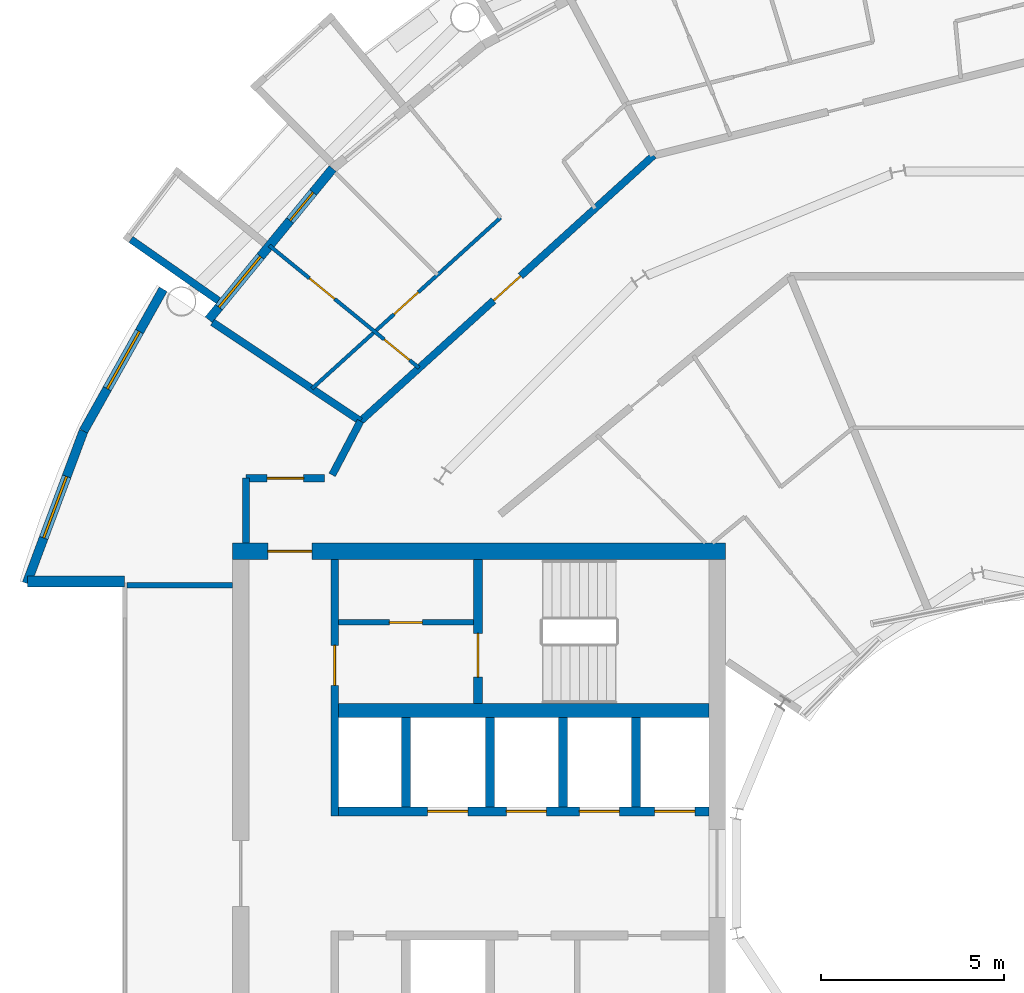
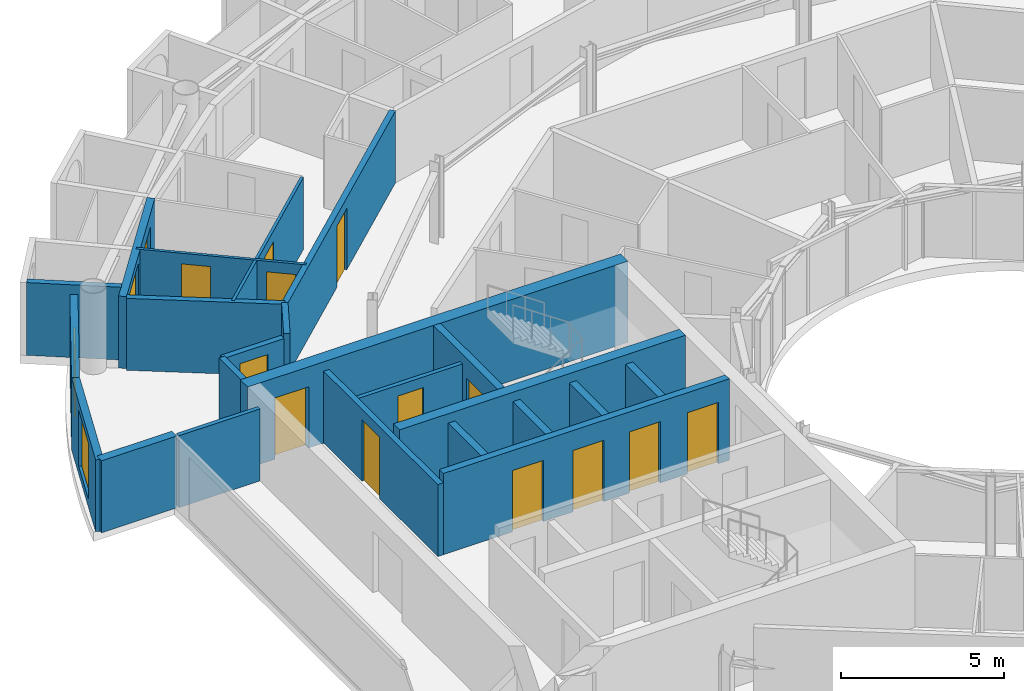
# One storey, part 20 of 29: 23 walls, 14 doors, 3 windows, 17 openings.
"""IFC4 building model written with IfcOpenShell, lengths in metres."""

import ifcopenshell
import ifcopenshell.guid

model = None  # the IFC model being written
_history = None  # IfcOwnerHistory: only IFC2X3 demands one
_inside = {}  # id of a spatial element -> (the spatial element, [elements in it])
_under = {}  # id of a project, library or spatial element -> (it, [spatial elements below it])
_declared = {}  # id of a project -> (the project, [libraries it declares])
_typed = {}  # id of a type object -> (the type object, [elements of that type])
_made_of = {}  # id of a material, layer set ... -> (it, [elements and type objects made of it])


def new_model(schema):
    """Start an empty IFC model of exactly this schema.

    Asked for "IFC4X3", IfcOpenShell would pick the latest addendum, in which some entities
    have other attributes; the version numbers below select the first issue.
    IFC2X3 requires an IfcOwnerHistory on every rooted entity: one is made here for all.
    """
    global model, _history
    if schema == "IFC4X3":
        model = ifcopenshell.file(schema_version=(4, 3, 0, 0))
    else:
        model = ifcopenshell.file(schema=schema)
    _inside.clear()
    _under.clear()
    _declared.clear()
    _typed.clear()
    _made_of.clear()
    _history = None
    if model.schema == "IFC2X3":
        org = make("IfcOrganization", Name="unknown")
        user = make(
            "IfcPersonAndOrganization",
            ThePerson=make("IfcPerson", FamilyName="unknown"),
            TheOrganization=org,
        )
        app = make(
            "IfcApplication",
            ApplicationDeveloper=org,
            Version="unknown",
            ApplicationFullName="unknown",
            ApplicationIdentifier="unknown",
        )
        _history = make(
            "IfcOwnerHistory",
            OwningUser=user,
            OwningApplication=app,
            ChangeAction="ADDED",
            CreationDate=0,
        )
    return model


def make(cls, **values):
    """One entity of the class cls with the attributes given. An attribute that is None is left unset."""
    return model.create_entity(
        cls, **{name: value for name, value in values.items() if value is not None}
    )


def rooted(cls, **values):
    """An entity with a GlobalId (a new one), such as an element, a storey or a relation."""
    return make(cls, GlobalId=ifcopenshell.guid.new(), OwnerHistory=_history, **values)


def si_unit(unit_type, name, prefix=None):
    """IfcSIUnit, for example si_unit("LENGTHUNIT", "METRE", prefix="MILLI")."""
    return make("IfcSIUnit", UnitType=unit_type, Prefix=prefix, Name=name)


def assignment(units):
    """IfcUnitAssignment: the units of a project."""
    return None if units is None else make("IfcUnitAssignment", Units=units)


def point(xyz):
    """IfcCartesianPoint."""
    return None if xyz is None else make("IfcCartesianPoint", Coordinates=xyz)


def direction(xyz):
    """IfcDirection."""
    return None if xyz is None else make("IfcDirection", DirectionRatios=xyz)


def frame(location, z_axis=None, x_axis=None):
    """IfcAxis2Placement3D, a coordinate frame: its origin and axes. An axis left out is left unset."""
    return make(
        "IfcAxis2Placement3D",
        Location=point(location),
        Axis=direction(z_axis),
        RefDirection=direction(x_axis),
    )


def frame_2d(location, x_axis=None):
    """IfcAxis2Placement2D, a coordinate frame in the plane: its origin and x axis."""
    return make(
        "IfcAxis2Placement2D", Location=point(location), RefDirection=direction(x_axis)
    )


def origin():
    """The frame at (0, 0, 0) with its axes left unset."""
    return frame((0.0, 0.0, 0.0))


def place(relative_to, where):
    """IfcLocalPlacement: puts the frame where relative to a parent placement (None: the world)."""
    return make(
        "IfcLocalPlacement", PlacementRelTo=relative_to, RelativePlacement=where
    )


def context(
    kind, dimensions, precision=None, world=None, true_north=None, identifier=None
):
    """IfcGeometricRepresentationContext, for example the 3D "Model" context."""
    return make(
        "IfcGeometricRepresentationContext",
        ContextIdentifier=identifier,
        ContextType=kind,
        CoordinateSpaceDimension=dimensions,
        Precision=precision,
        WorldCoordinateSystem=world,
        TrueNorth=true_north,
    )


def subcontext(parent, identifier, kind, view, scale=None):
    """IfcGeometricRepresentationSubContext, for example "Body" below "Model"."""
    return make(
        "IfcGeometricRepresentationSubContext",
        ContextIdentifier=identifier,
        ContextType=kind,
        ParentContext=parent,
        TargetScale=scale,
        TargetView=view,
    )


def project(units=None, contexts=None):
    """IfcProject with its units and contexts."""
    return rooted(
        "IfcProject",
        Name="project",
        RepresentationContexts=contexts,
        UnitsInContext=assignment(units),
    )


def spatial(cls, under=None, at=None, **own):
    """A site, building, storey or space (cls), placed at a placement, below another one or the project."""
    s = rooted(cls, ObjectPlacement=at, **own)
    if under is not None:
        _under.setdefault(under.id(), (under, []))[1].append(s)
    return s


def profile(cls, at=None, kind="AREA", **sizes):
    """A parametric profile (cls). Its sizes go by their IFC names, for example OverallWidth=200.0."""
    return make(cls, ProfileType=kind, Position=at, **sizes)


def rectangle(**sizes):
    """IfcRectangleProfileDef."""
    return profile("IfcRectangleProfileDef", **sizes)


def extrude(swept, where, along, depth):
    """IfcExtrudedAreaSolid: the profile swept, set in the frame where, extruded along a direction by depth."""
    return make(
        "IfcExtrudedAreaSolid",
        SweptArea=swept,
        Position=where,
        ExtrudedDirection=direction(along),
        Depth=depth,
    )


def shape(context_of_items, identifier, shape_type, items):
    """IfcShapeRepresentation: the items that make up one representation, for example the "Body"."""
    return make(
        "IfcShapeRepresentation",
        ContextOfItems=context_of_items,
        RepresentationIdentifier=identifier,
        RepresentationType=shape_type,
        Items=items,
    )


def material(Name=None, Category=None):
    """IfcMaterial."""
    return make("IfcMaterial", Name=Name, Category=Category)


def layer(
    of_material, thickness, ventilated=None, Name=None, Category=None, Priority=None
):
    """IfcMaterialLayer: one layer of a wall or slab, of a material (None: an air gap)."""
    return make(
        "IfcMaterialLayer",
        Material=of_material,
        LayerThickness=thickness,
        IsVentilated=ventilated,
        Name=Name,
        Category=Category,
        Priority=Priority,
    )


def layer_set(layers, Name=None):
    """IfcMaterialLayerSet."""
    return make("IfcMaterialLayerSet", MaterialLayers=layers, LayerSetName=Name)


def made_of(thing, what):
    """Note that an element or type object is made of a material, layer set ...; save() writes the relation."""
    if what is not None:
        _made_of.setdefault(what.id(), (what, []))[1].append(thing)
    return thing


def type_object(cls, material=None, **own):
    """A type object (cls), such as IfcWallType, which elements share."""
    return made_of(rooted(cls, **own), material)


def element(
    cls,
    number,
    at=None,
    inside=None,
    cuts=None,
    type_object=None,
    material=None,
    context=None,
    identifier="Body",
    shape_type=None,
    held_by="IfcProductDefinitionShape",
    body=None,
    shapes=None,
    **own,
):
    """One element of the class cls, such as IfcWall. Its Tag is "e" and its number.

    at: its placement. inside: the storey or other place that contains it. cuts: it is an
    opening in that element (IfcRelVoidsElement). A single representation is given by context,
    identifier, shape_type and body (its items); several are given by shapes. held_by: the class
    of the entity that holds the representations. save() writes the other relations.
    """
    e = rooted(cls, Tag="e%d" % number, ObjectPlacement=at, **own)
    if body is not None:
        shapes = [shape(context, identifier, shape_type, body)]
    if shapes is not None:
        e.Representation = make(held_by, Representations=shapes)
    if inside is not None:
        _inside.setdefault(inside.id(), (inside, []))[1].append(e)
    if cuts is not None:
        rooted(
            "IfcRelVoidsElement", RelatingBuildingElement=cuts, RelatedOpeningElement=e
        )
    if type_object is not None:
        _typed.setdefault(type_object.id(), (type_object, []))[1].append(e)
    return made_of(e, material)


def fill(opening, filler):
    """IfcRelFillsElement: the door or window that sits in an opening."""
    return rooted(
        "IfcRelFillsElement",
        RelatingOpeningElement=opening,
        RelatedBuildingElement=filler,
    )


def aggregate(whole, parts):
    """IfcRelAggregates: a whole, such as a stair, and the parts it consists of."""
    return rooted("IfcRelAggregates", RelatingObject=whole, RelatedObjects=parts)


def save(model, path):
    """Write the relations noted so far, then the file.

    IfcRelAggregates (storeys below a building ...), IfcRelContainedInSpatialStructure (elements
    in a storey), IfcRelDefinesByType, IfcRelAssociatesMaterial and IfcRelDeclares: one each for
    every whole, place, type object, material and project.
    """
    for whole, parts in _under.values():
        aggregate(whole, parts)
    for where, things in _inside.values():
        rooted(
            "IfcRelContainedInSpatialStructure",
            RelatedElements=things,
            RelatingStructure=where,
        )
    for kind, things in _typed.values():
        rooted("IfcRelDefinesByType", RelatedObjects=things, RelatingType=kind)
    for what, things in _made_of.values():
        rooted("IfcRelAssociatesMaterial", RelatedObjects=things, RelatingMaterial=what)
    for by, libraries in _declared.values():
        rooted("IfcRelDeclares", RelatingContext=by, RelatedDefinitions=libraries)
    model.write(path)


model = new_model("IFC4")

# Units and contexts
model_context = context("Model", 3, precision=1e-05, world=origin(), true_north=direction((0.0, 1.0)))
body_context = subcontext(model_context, "Body", "Model", "MODEL_VIEW")
ifc_project = project(units=[si_unit("LENGTHUNIT", "METRE"), si_unit("AREAUNIT", "SQUARE_METRE"), si_unit("VOLUMEUNIT", "CUBIC_METRE"), si_unit("PLANEANGLEUNIT", "RADIAN"), si_unit("MASSUNIT", "GRAM", prefix="KILO")], contexts=[model_context])

# Site, building, storey
site_placement = place(None, origin())
site = spatial("IfcSite", under=ifc_project, at=site_placement, CompositionType="ELEMENT")
building_placement = place(site_placement, origin())
building = spatial("IfcBuilding", under=site, at=building_placement, Name="Maasbend Ring Residences", CompositionType="ELEMENT")
storey_placement = place(building_placement, frame((0.0, 0.0, 215.75)))
storey = spatial("IfcBuildingStorey", under=building, at=storey_placement, Name="L62", CompositionType="ELEMENT", Elevation=215.75)

# Wall, openings, doors
ifc_material_1 = material(Name="Concrete C50/60", Category="concrete")
ifc_layer_1 = layer(ifc_material_1, 0.25)
ifc_layer_set_1 = layer_set([ifc_layer_1], Name="Concrete C50/60")
wall_type_1 = type_object("IfcWallType", Name="CORE WALL 250 C50/60", PredefinedType="SHEAR", material=ifc_layer_set_1)
wall_1_placement = place(storey_placement, frame((-9.0, 1.699951171875, 0.0), z_axis=(0.0, 0.0, 1.0), x_axis=(-1.0, 0.0, 0.0)))
wall_1 = element("IfcWall", 1, at=wall_1_placement, inside=storey, type_object=wall_type_1, Name="L62 core W wall SPS", PredefinedType="SHEAR", context=body_context, shape_type="SweptSolid", body=[
    extrude(rectangle(XDim=10.14990234375, YDim=0.25, at=frame_2d((5.074951171875, 0.0))), origin(), (0.0, 0.0, 1.0), 3.050048828125),
])
opening_1_placement = place(wall_1_placement, frame((0.387451171875, 0.0, 0.0)))
opening_1 = element("IfcOpeningElement", 2, at=opening_1_placement, cuts=wall_1, Name="Opening LD-W6202", PredefinedType="OPENING", context=body_context, shape_type="SweptSolid", body=[
    extrude(rectangle(XDim=1.10009765625, YDim=2.300048828125, at=frame_2d((0.550048828125, 1.14990234375))), frame((0.0, 0.135009765625, 0.0), z_axis=(0.0, -1.0, 0.0), x_axis=(1.0, 0.0, 0.0)), (0.0, 0.0, 1.0), 0.27001953125),
])
opening_2_placement = place(wall_1_placement, frame((2.449951171875, 0.0, 0.0)))
opening_2 = element("IfcOpeningElement", 3, at=opening_2_placement, cuts=wall_1, Name="Opening LD-W6203", PredefinedType="OPENING", context=body_context, shape_type="SweptSolid", body=[
    extrude(rectangle(XDim=1.10009765625, YDim=2.300048828125, at=frame_2d((0.550048828125, 1.14990234375))), frame((0.0, 0.135009765625, 0.0), z_axis=(0.0, -1.0, 0.0), x_axis=(1.0, 0.0, 0.0)), (0.0, 0.0, 1.0), 0.27001953125),
])
opening_3_placement = place(wall_1_placement, frame((4.449951171875, 0.0, 0.0)))
opening_3 = element("IfcOpeningElement", 4, at=opening_3_placement, cuts=wall_1, Name="Opening LD-W6204", PredefinedType="OPENING", context=body_context, shape_type="SweptSolid", body=[
    extrude(rectangle(XDim=1.10009765625, YDim=2.300048828125, at=frame_2d((0.550048828125, 1.14990234375))), frame((0.0, 0.135009765625, 0.0), z_axis=(0.0, -1.0, 0.0), x_axis=(1.0, 0.0, 0.0)), (0.0, 0.0, 1.0), 0.27001953125),
])
opening_4_placement = place(wall_1_placement, frame((6.60009765625, 0.0, 0.0)))
opening_4 = element("IfcOpeningElement", 5, at=opening_4_placement, cuts=wall_1, Name="Opening LD-W6205", PredefinedType="OPENING", context=body_context, shape_type="SweptSolid", body=[
    extrude(rectangle(XDim=1.10009765625, YDim=2.300048828125, at=frame_2d((0.550048828125, 1.14990234375))), frame((0.0, 0.135009765625, 0.0), z_axis=(0.0, -1.0, 0.0), x_axis=(1.0, 0.0, 0.0)), (0.0, 0.0, 1.0), 0.27001953125),
])
ifc_material_2 = material(Name="Stainless steel 316", Category="steel")
door_type_1 = type_object("IfcDoorType", Name="LANDING DOOR 1100 X 2300 FD60", OperationType="DOUBLE_DOOR_SLIDING", PredefinedType="DOOR", material=ifc_material_2)
door_1_placement = place(opening_1_placement, origin())
door_1 = element("IfcDoor", 6, at=door_1_placement, inside=storey, type_object=door_type_1, Name="Landing door HR-W1 L62", OperationType="DOUBLE_DOOR_SLIDING", OverallHeight=2.300048828125, OverallWidth=1.10009765625, PredefinedType="DOOR", context=body_context, shape_type="SweptSolid", body=[
    extrude(rectangle(XDim=1.10009765625, YDim=2.300048828125, at=frame_2d((0.550048828125, 1.14990234375))), frame((0.0, 0.02490234375, 0.0), z_axis=(0.0, -1.0, 0.0), x_axis=(1.0, 0.0, 0.0)), (0.0, 0.0, 1.0), 0.050048828125),
])
fill(opening_1, door_1)
door_2_placement = place(opening_2_placement, origin())
door_2 = element("IfcDoor", 7, at=door_2_placement, inside=storey, type_object=door_type_1, Name="Landing door HR-W2 L62", OperationType="DOUBLE_DOOR_SLIDING", OverallHeight=2.300048828125, OverallWidth=1.10009765625, PredefinedType="DOOR", context=body_context, shape_type="SweptSolid", body=[
    extrude(rectangle(XDim=1.10009765625, YDim=2.300048828125, at=frame_2d((0.550048828125, 1.14990234375))), frame((0.0, 0.02490234375, 0.0), z_axis=(0.0, -1.0, 0.0), x_axis=(1.0, 0.0, 0.0)), (0.0, 0.0, 1.0), 0.050048828125),
])
fill(opening_2, door_2)
door_3_placement = place(opening_3_placement, origin())
door_3 = element("IfcDoor", 8, at=door_3_placement, inside=storey, type_object=door_type_1, Name="Landing door HR-W3 L62", OperationType="DOUBLE_DOOR_SLIDING", OverallHeight=2.300048828125, OverallWidth=1.10009765625, PredefinedType="DOOR", context=body_context, shape_type="SweptSolid", body=[
    extrude(rectangle(XDim=1.10009765625, YDim=2.300048828125, at=frame_2d((0.550048828125, 1.14990234375))), frame((0.0, 0.02490234375, 0.0), z_axis=(0.0, -1.0, 0.0), x_axis=(1.0, 0.0, 0.0)), (0.0, 0.0, 1.0), 0.050048828125),
])
fill(opening_3, door_3)
door_4_placement = place(opening_4_placement, origin())
door_4 = element("IfcDoor", 9, at=door_4_placement, inside=storey, type_object=door_type_1, Name="Landing door SV-W L62", OperationType="DOUBLE_DOOR_SLIDING", OverallHeight=2.300048828125, OverallWidth=1.10009765625, PredefinedType="DOOR", context=body_context, shape_type="SweptSolid", body=[
    extrude(rectangle(XDim=1.10009765625, YDim=2.300048828125, at=frame_2d((0.550048828125, 1.14990234375))), frame((0.0, 0.02490234375, 0.0), z_axis=(0.0, -1.0, 0.0), x_axis=(1.0, 0.0, 0.0)), (0.0, 0.0, 1.0), 0.050048828125),
])
fill(opening_4, door_4)

# Wall, opening, door
wall_2_placement = place(storey_placement, frame((-15.324951171875, 8.60009765625, 0.0), z_axis=(0.0, 0.0, 1.0), x_axis=(0.0, -1.0, 0.0)))
wall_2 = element("IfcWall", 10, at=wall_2_placement, inside=storey, type_object=wall_type_1, Name="L62 core W wall STES", PredefinedType="SHEAR", context=body_context, shape_type="SweptSolid", body=[
    extrude(rectangle(XDim=3.9501953125, YDim=0.25, at=frame_2d((1.97509765625, 0.0))), origin(), (0.0, 0.0, 1.0), 3.050048828125),
])
opening_5_placement = place(wall_2_placement, frame((2.02490234375, 0.0, 0.0)))
opening_5 = element("IfcOpeningElement", 11, at=opening_5_placement, cuts=wall_2, Name="Opening D-W6211", PredefinedType="OPENING", context=body_context, shape_type="SweptSolid", body=[
    extrude(rectangle(XDim=1.199951171875, YDim=2.300048828125, at=frame_2d((0.60009765625, 1.14990234375))), frame((0.0, 0.135009765625, 0.0), z_axis=(0.0, -1.0, 0.0), x_axis=(1.0, 0.0, 0.0)), (0.0, 0.0, 1.0), 0.27001953125),
])
ifc_material_3 = material(Name="Steel, powder coated", Category="steel")
door_type_2 = type_object("IfcDoorType", Name="STAIR DOOR 1200 X 2300 FD60", OperationType="NOTDEFINED", PredefinedType="DOOR", material=ifc_material_3)
door_5_placement = place(opening_5_placement, origin())
door_5 = element("IfcDoor", 12, at=door_5_placement, inside=storey, type_object=door_type_2, Name="Stair door ST-W L62", OperationType="SINGLE_SWING_LEFT", OverallHeight=2.300048828125, OverallWidth=1.199951171875, PredefinedType="DOOR", context=body_context, shape_type="SweptSolid", body=[
    extrude(rectangle(XDim=1.199951171875, YDim=2.300048828125, at=frame_2d((0.60009765625, 1.14990234375))), frame((0.0, 0.02490234375, 0.0), z_axis=(0.0, -1.0, 0.0), x_axis=(1.0, 0.0, 0.0)), (0.0, 0.0, 1.0), 0.050048828125),
])
fill(opening_5, door_5)

# Wall
ifc_material_4 = material(Name="Concrete C50/60", Category="concrete")
ifc_layer_2 = layer(ifc_material_4, 0.375)
ifc_layer_set_2 = layer_set([ifc_layer_2], Name="Concrete C50/60")
wall_type_2 = type_object("IfcWallType", Name="CORE WALL 375 C50/60", PredefinedType="SHEAR", material=ifc_layer_set_2)
wall_3_placement = place(storey_placement, frame((-9.0, 4.46240234375, 0.0), z_axis=(0.0, 0.0, 1.0), x_axis=(-1.0, 0.0, 0.0)))
element("IfcWall", 13, at=wall_3_placement, inside=storey, type_object=wall_type_2, Name="L62 core W wall BS", PredefinedType="SHEAR", context=body_context, shape_type="SweptSolid", body=[
    extrude(rectangle(XDim=10.14990234375, YDim=0.375, at=frame_2d((5.074951171875, 0.0))), origin(), (0.0, 0.0, 1.0), 3.050048828125),
])

# Wall, opening, door
ifc_material_5 = material(Name="Concrete C50/60", Category="concrete")
ifc_layer_3 = layer(ifc_material_5, 0.449951171875)
ifc_layer_set_3 = layer_set([ifc_layer_3], Name="Concrete C50/60")
wall_type_3 = type_object("IfcWallType", Name="CORE WALL 450 C50/60", PredefinedType="SHEAR", material=ifc_layer_set_3)
wall_4_placement = place(storey_placement, frame((-8.550048828125, 8.824951171875, 0.0), z_axis=(0.0, 0.0, 1.0), x_axis=(-1.0, 0.0, 0.0)))
wall_4 = element("IfcWall", 14, at=wall_4_placement, inside=storey, type_object=wall_type_3, Name="L62 core W wall PS", PredefinedType="SHEAR", context=body_context, shape_type="SweptSolid", body=[
    extrude(rectangle(XDim=13.5, YDim=0.449951171875, at=frame_2d((6.75, 0.0))), origin(), (0.0, 0.0, 1.0), 3.050048828125),
])
opening_6_placement = place(wall_4_placement, frame((11.324951171875, 0.0, 0.0)))
opening_6 = element("IfcOpeningElement", 15, at=opening_6_placement, cuts=wall_4, Name="Opening D-W6215", PredefinedType="OPENING", context=body_context, shape_type="SweptSolid", body=[
    extrude(rectangle(XDim=1.199951171875, YDim=2.300048828125, at=frame_2d((0.60009765625, 1.14990234375))), frame((0.0, 0.23486328125, 0.0), z_axis=(0.0, -1.0, 0.0), x_axis=(1.0, 0.0, 0.0)), (0.0, 0.0, 1.0), 0.469970703125),
])
ifc_material_6 = material(Name="Steel, powder coated", Category="steel")
door_type_3 = type_object("IfcDoorType", Name="CORRIDOR DOOR 1200 X 2300 FD30S", OperationType="NOTDEFINED", PredefinedType="DOOR", material=ifc_material_6)
door_6_placement = place(opening_6_placement, origin())
door_6 = element("IfcDoor", 16, at=door_6_placement, inside=storey, type_object=door_type_3, Name="Corridor door L62", OperationType="SINGLE_SWING_LEFT", OverallHeight=2.300048828125, OverallWidth=1.199951171875, PredefinedType="DOOR", context=body_context, shape_type="SweptSolid", body=[
    extrude(rectangle(XDim=1.199951171875, YDim=2.300048828125, at=frame_2d((0.60009765625, 1.14990234375))), frame((0.0, 0.02490234375, 0.0), z_axis=(0.0, -1.0, 0.0), x_axis=(1.0, 0.0, 0.0)), (0.0, 0.0, 1.0), 0.050048828125),
])
fill(opening_6, door_6)

ifc_material_7 = material(Name="Concrete C30/37", Category="concrete")
ifc_layer_4 = layer(ifc_material_7, 0.199951171875)
ifc_layer_set_4 = layer_set([ifc_layer_4], Name="Concrete C30/37")
wall_type_4 = type_object("IfcWallType", Name="CORRIDOR WALL 200 CONCRETE", PredefinedType="PARTITIONING", material=ifc_layer_set_4)
wall_5_placement = place(storey_placement, frame((-21.675048828125, 10.824951171875, 0.0), z_axis=(0.0, 0.0, 1.0), x_axis=(1.0, 0.0, 0.0)))
wall_5 = element("IfcWall", 17, at=wall_5_placement, inside=storey, type_object=wall_type_4, Name="U-L62-w099", PredefinedType="PARTITIONING", context=body_context, shape_type="SweptSolid", body=[
    extrude(rectangle(XDim=2.152099609375, YDim=0.199951171875, at=frame_2d((1.076171875, 0.0))), origin(), (0.0, 0.0, 1.0), 2.699951171875),
])
opening_7_placement = place(wall_5_placement, frame((0.575927734375, 0.0, 0.0)))
opening_7 = element("IfcOpeningElement", 18, at=opening_7_placement, cuts=wall_5, Name="Opening D-6269", PredefinedType="OPENING", context=body_context, shape_type="SweptSolid", body=[
    extrude(rectangle(XDim=1.0, YDim=2.300048828125, at=frame_2d((0.5, 1.14990234375))), frame((0.0, 0.10986328125, 0.0), z_axis=(0.0, -1.0, 0.0), x_axis=(1.0, 0.0, 0.0)), (0.0, 0.0, 1.0), 0.219970703125),
])
ifc_material_8 = material(Name="Timber, painted", Category="wood")
door_type_4 = type_object("IfcDoorType", Name="ROOM DOOR 1000 X 2300", OperationType="NOTDEFINED", PredefinedType="DOOR", material=ifc_material_8)
door_7_placement = place(opening_7_placement, origin())
door_7 = element("IfcDoor", 19, at=door_7_placement, inside=storey, type_object=door_type_4, Name="D-6269", OperationType="SINGLE_SWING_LEFT", OverallHeight=2.300048828125, OverallWidth=1.0, PredefinedType="DOOR", context=body_context, shape_type="SweptSolid", body=[
    extrude(rectangle(XDim=1.0, YDim=2.300048828125, at=frame_2d((0.5, 1.14990234375))), frame((0.0, 0.02490234375, 0.0), z_axis=(0.0, -1.0, 0.0), x_axis=(1.0, 0.0, 0.0)), (0.0, 0.0, 1.0), 0.050048828125),
])
fill(opening_7, door_7)

wall_6_placement = place(storey_placement, frame((-18.54296875, 12.385986328125, 0.0), z_axis=(0.0, 0.0, 1.0), x_axis=(0.740853508928, 0.671666642248, 0.0)))
wall_6 = element("IfcWall", 20, at=wall_6_placement, inside=storey, type_object=wall_type_4, Name="U-L62-w110", PredefinedType="PARTITIONING", context=body_context, shape_type="SweptSolid", body=[
    extrude(rectangle(XDim=10.840087890625, YDim=0.199951171875, at=frame_2d((5.419921875, 0.0))), origin(), (0.0, 0.0, 1.0), 2.699951171875),
])
opening_8_placement = place(wall_6_placement, frame((4.9208984375, 0.0, 0.0)))
opening_8 = element("IfcOpeningElement", 21, at=opening_8_placement, cuts=wall_6, Name="Opening D-6217", PredefinedType="OPENING", context=body_context, shape_type="SweptSolid", body=[
    extrude(rectangle(XDim=1.0, YDim=2.300048828125, at=frame_2d((0.5, 1.14990234375))), frame((0.0, 0.10986328125, 0.0), z_axis=(0.0, -1.0, 0.0), x_axis=(1.0, 0.0, 0.0)), (0.0, 0.0, 1.0), 0.219970703125),
])
ifc_material_9 = material(Name="Timber, fire-rated, painted", Category="wood")
door_type_5 = type_object("IfcDoorType", Name="FLAT ENTRANCE DOOR 1000 X 2300 FIRE-RATED", OperationType="NOTDEFINED", PredefinedType="DOOR", material=ifc_material_9)
door_8_placement = place(opening_8_placement, origin())
door_8 = element("IfcDoor", 22, at=door_8_placement, inside=storey, type_object=door_type_5, Name="D-6217", OperationType="SINGLE_SWING_RIGHT", OverallHeight=2.300048828125, OverallWidth=1.0, PredefinedType="DOOR", context=body_context, shape_type="SweptSolid", body=[
    extrude(rectangle(XDim=1.0, YDim=2.300048828125, at=frame_2d((0.5, 1.14990234375))), frame((0.0, 0.02490234375, 0.0), z_axis=(0.0, -1.0, 0.0), x_axis=(1.0, 0.0, 0.0)), (0.0, 0.0, 1.0), 0.050048828125),
])
fill(opening_8, door_8)

# Walls
wall_7_placement = place(storey_placement, frame((-21.675048828125, 9.050048828125, 0.0), z_axis=(0.0, 0.0, 1.0), x_axis=(0.0, 1.0, 0.0)))
element("IfcWall", 23, at=wall_7_placement, inside=storey, type_object=wall_type_4, Name="U-L62-w113", PredefinedType="PARTITIONING", context=body_context, shape_type="SweptSolid", body=[
    extrude(rectangle(XDim=1.77490234375, YDim=0.199951171875, at=frame_2d((0.887451171875, 0.0))), origin(), (0.0, 0.0, 1.0), 2.699951171875),
])
wall_8_placement = place(storey_placement, frame((-19.31689453125, 10.9150390625, 0.0), z_axis=(0.0, 0.0, 1.0), x_axis=(0.465359652486, 0.885121683068, 0.0)))
element("IfcWall", 24, at=wall_8_placement, inside=storey, type_object=wall_type_4, Name="U-L62-w117", PredefinedType="PARTITIONING", context=body_context, shape_type="SweptSolid", body=[
    extrude(rectangle(XDim=1.665283203125, YDim=0.199951171875, at=frame_2d((0.83251953125, 0.0))), origin(), (0.0, 0.0, 1.0), 2.699951171875),
])
ifc_material_10 = material(Name="Pale anodised aluminium panel", Category="aluminium")
ifc_layer_5 = layer(ifc_material_10, 0.199951171875)
ifc_layer_set_5 = layer_set([ifc_layer_5], Name="EW-BOX")
wall_type_5 = type_object("IfcWallType", Name="EW-BOX", PredefinedType="SOLIDWALL", material=ifc_layer_set_5)
wall_9_placement = place(storey_placement, frame((-22.43310546875, 15.68798828125, -0.030029296875), z_axis=(0.0, 0.0, 1.0), x_axis=(-0.819373043115, 0.573260687834, 0.0)))
element("IfcWall", 25, at=wall_9_placement, inside=storey, type_object=wall_type_5, Name="Box side wall N20 right", PredefinedType="SOLIDWALL", context=body_context, shape_type="SweptSolid", body=[
    extrude(rectangle(XDim=2.92529296875, YDim=0.199951171875, at=frame_2d((1.462646484375, 0.0))), origin(), (0.0, 0.0, 1.0), 2.72998046875),
])

# Wall, openings, door, window
ifc_material_11 = material(Name="Aluminium clad insulated panel", Category="aluminium")
ifc_layer_6 = layer(ifc_material_11, 0.25)
ifc_layer_set_6 = layer_set([ifc_layer_6], Name="EW-GL")
wall_type_6 = type_object("IfcWallType", Name="EW-GL", PredefinedType="SOLIDWALL", material=ifc_layer_set_6)
wall_10_placement = place(storey_placement, frame((-19.303955078125, 19.303955078125, 0.0), z_axis=(0.0, 0.0, 1.0), x_axis=(-0.634382322723, -0.773019449054, 0.0)))
wall_10 = element("IfcWall", 26, at=wall_10_placement, inside=storey, type_object=wall_type_6, Name="External wall N10", PredefinedType="SOLIDWALL", context=body_context, shape_type="SweptSolid", body=[
    extrude(rectangle(XDim=5.351806640625, YDim=0.25, at=frame_2d((2.67578125, 0.0))), origin(), (0.0, 0.0, 1.0), 2.699951171875),
])
opening_9_placement = place(wall_10_placement, frame((0.841064453125, 0.0, 0.0)))
opening_9 = element("IfcOpeningElement", 27, at=opening_9_placement, cuts=wall_10, Name="Opening D-LG", PredefinedType="OPENING", context=body_context, shape_type="SweptSolid", body=[
    extrude(rectangle(XDim=1.0, YDim=2.199951171875, at=frame_2d((0.5, 1.10009765625))), frame((0.0, 0.135009765625, 0.0), z_axis=(0.0, -1.0, 0.0), x_axis=(1.0, 0.0, 0.0)), (0.0, 0.0, 1.0), 0.27001953125),
])
opening_10_placement = place(wall_10_placement, frame((3.110595703125, 0.0, 0.300048828125)))
opening_10 = element("IfcOpeningElement", 28, at=opening_10_placement, cuts=wall_10, Name="Opening W-BX", PredefinedType="OPENING", context=body_context, shape_type="SweptSolid", body=[
    extrude(rectangle(XDim=1.800048828125, YDim=2.10009765625, at=frame_2d((0.89990234375, 1.050048828125))), frame((0.0, 0.135009765625, 0.0), z_axis=(0.0, -1.0, 0.0), x_axis=(1.0, 0.0, 0.0)), (0.0, 0.0, 1.0), 0.27001953125),
])
ifc_material_12 = material(Name="Aluminium and clear glass", Category="aluminium")
door_type_6 = type_object("IfcDoorType", Name="D-LG", OperationType="SINGLE_SWING_LEFT", PredefinedType="DOOR", material=ifc_material_12)
door_9_placement = place(opening_9_placement, origin())
door_9 = element("IfcDoor", 29, at=door_9_placement, inside=storey, type_object=door_type_6, Name="Loggia door N19", OperationType="SINGLE_SWING_LEFT", OverallHeight=2.199951171875, OverallWidth=1.0, PredefinedType="DOOR", context=body_context, shape_type="SweptSolid", body=[
    extrude(rectangle(XDim=1.0, YDim=2.199951171875, at=frame_2d((0.5, 1.10009765625))), frame((0.0, 0.02490234375, 0.0), z_axis=(0.0, -1.0, 0.0), x_axis=(1.0, 0.0, 0.0)), (0.0, 0.0, 1.0), 0.050048828125),
])
fill(opening_9, door_9)
ifc_material_13 = material(Name="Aluminium and clear glass", Category="aluminium")
window_type = type_object("IfcWindowType", Name="W-BX", PartitioningType="DOUBLE_PANEL_VERTICAL", PredefinedType="WINDOW", material=ifc_material_13)
window_1_placement = place(opening_10_placement, origin())
window_1 = element("IfcWindow", 30, at=window_1_placement, inside=storey, type_object=window_type, Name="Window N20 room to box", OverallHeight=2.10009765625, OverallWidth=1.800048828125, PartitioningType="SINGLE_PANEL", PredefinedType="WINDOW", context=body_context, shape_type="SweptSolid", body=[
    extrude(rectangle(XDim=1.800048828125, YDim=2.10009765625, at=frame_2d((0.89990234375, 1.050048828125))), frame((0.0, 0.030029296875, 0.0), z_axis=(0.0, -1.0, 0.0), x_axis=(1.0, 0.0, 0.0)), (0.0, 0.0, 1.0), 0.06005859375),
])
fill(opening_10, window_1)

# Wall, opening, window
ifc_material_14 = material(Name="Aluminium clad insulated panel", Category="aluminium")
ifc_layer_7 = layer(ifc_material_14, 0.25)
ifc_layer_set_7 = layer_set([ifc_layer_7], Name="EW-HORN")
wall_type_7 = type_object("IfcWallType", Name="EW-HORN", PredefinedType="SOLIDWALL", material=ifc_layer_set_7)
wall_11_placement = place(storey_placement, frame((-23.946044921875, 16.0, 0.0), z_axis=(0.0, 0.0, 1.0), x_axis=(-0.489696356642, -0.871893042919, 0.0)))
wall_11 = element("IfcWall", 31, at=wall_11_placement, inside=storey, type_object=wall_type_7, Name="Horn wall 4.1", PredefinedType="SOLIDWALL", context=body_context, shape_type="SweptSolid", body=[
    extrude(rectangle(XDim=4.45361328125, YDim=0.25, at=frame_2d((2.226806640625, 0.0))), origin(), (0.0, 0.0, 1.0), 2.699951171875),
])
opening_11_placement = place(wall_11_placement, frame((1.32666015625, 0.0, 0.300048828125)))
opening_11 = element("IfcOpeningElement", 32, at=opening_11_placement, cuts=wall_11, Name="Opening W-BX", PredefinedType="OPENING", context=body_context, shape_type="SweptSolid", body=[
    extrude(rectangle(XDim=1.800048828125, YDim=2.10009765625, at=frame_2d((0.89990234375, 1.050048828125))), frame((0.0, 0.135009765625, 0.0), z_axis=(0.0, -1.0, 0.0), x_axis=(1.0, 0.0, 0.0)), (0.0, 0.0, 1.0), 0.27001953125),
])
window_2_placement = place(opening_11_placement, origin())
window_2 = element("IfcWindow", 33, at=window_2_placement, inside=storey, type_object=window_type, Name="Horn window 4.1", OverallHeight=2.10009765625, OverallWidth=1.800048828125, PartitioningType="SINGLE_PANEL", PredefinedType="WINDOW", context=body_context, shape_type="SweptSolid", body=[
    extrude(rectangle(XDim=1.800048828125, YDim=2.10009765625, at=frame_2d((0.89990234375, 1.050048828125))), frame((0.0, 0.030029296875, 0.0), z_axis=(0.0, -1.0, 0.0), x_axis=(1.0, 0.0, 0.0)), (0.0, 0.0, 1.0), 0.06005859375),
])
fill(opening_11, window_2)

wall_12_placement = place(storey_placement, frame((-26.126953125, 12.116943359375, 0.0), z_axis=(0.0, 0.0, 1.0), x_axis=(-0.349247811493, -0.937030397675, 0.0)))
wall_12 = element("IfcWall", 34, at=wall_12_placement, inside=storey, type_object=wall_type_7, Name="Horn wall 4.2", PredefinedType="SOLIDWALL", context=body_context, shape_type="SweptSolid", body=[
    extrude(rectangle(XDim=4.4521484375, YDim=0.25, at=frame_2d((2.22607421875, 0.0))), origin(), (0.0, 0.0, 1.0), 2.699951171875),
])
opening_12_placement = place(wall_12_placement, frame((1.32666015625, 0.0, 0.300048828125)))
opening_12 = element("IfcOpeningElement", 35, at=opening_12_placement, cuts=wall_12, Name="Opening W-BX", PredefinedType="OPENING", context=body_context, shape_type="SweptSolid", body=[
    extrude(rectangle(XDim=1.800048828125, YDim=2.10009765625, at=frame_2d((0.89990234375, 1.050048828125))), frame((0.0, 0.135009765625, 0.0), z_axis=(0.0, -1.0, 0.0), x_axis=(1.0, 0.0, 0.0)), (0.0, 0.0, 1.0), 0.27001953125),
])
window_3_placement = place(opening_12_placement, origin())
window_3 = element("IfcWindow", 36, at=window_3_placement, inside=storey, type_object=window_type, Name="Horn window 4.2", OverallHeight=2.10009765625, OverallWidth=1.800048828125, PartitioningType="SINGLE_PANEL", PredefinedType="WINDOW", context=body_context, shape_type="SweptSolid", body=[
    extrude(rectangle(XDim=1.800048828125, YDim=2.10009765625, at=frame_2d((0.89990234375, 1.050048828125))), frame((0.0, 0.030029296875, 0.0), z_axis=(0.0, -1.0, 0.0), x_axis=(1.0, 0.0, 0.0)), (0.0, 0.0, 1.0), 0.06005859375),
])
fill(opening_12, window_3)

# Wall
ifc_material_15 = material(Name="Aluminium clad insulated panel", Category="aluminium")
ifc_layer_8 = layer(ifc_material_15, 0.300048828125)
ifc_layer_set_8 = layer_set([ifc_layer_8], Name="EW-RET")
wall_type_8 = type_object("IfcWallType", Name="EW-RET", PredefinedType="SOLIDWALL", material=ifc_layer_set_8)
wall_13_placement = place(storey_placement, frame((-25.0, 8.0, 0.0), z_axis=(0.0, 0.0, 1.0), x_axis=(-1.0, 0.0, 0.0)))
element("IfcWall", 37, at=wall_13_placement, inside=storey, type_object=wall_type_8, Name="Notch return wall west north", PredefinedType="SOLIDWALL", context=body_context, shape_type="SweptSolid", body=[
    extrude(rectangle(XDim=2.6669921875, YDim=0.300048828125, at=frame_2d((1.33349609375, 0.0))), origin(), (0.0, 0.0, 1.0), 2.699951171875),
])

# Wall, openings, doors
ifc_material_16 = material(Name="Gypsum board on steel studs", Category="steel")
ifc_layer_9 = layer(ifc_material_16, 0.10009765625)
ifc_layer_set_9 = layer_set([ifc_layer_9], Name="PARTITION 100 GYPSUM")
wall_type_9 = type_object("IfcWallType", Name="PARTITION 100 GYPSUM", PredefinedType="PARTITIONING", material=ifc_layer_set_9)
wall_14_placement = place(storey_placement, frame((-21.0400390625, 17.198974609375, 0.0), z_axis=(0.0, 0.0, 1.0), x_axis=(0.774310172558, -0.632806255241, 0.0)))
wall_14 = element("IfcWall", 38, at=wall_14_placement, inside=storey, type_object=wall_type_9, Name="U-L62-w040", PredefinedType="PARTITIONING", context=body_context, shape_type="SweptSolid", body=[
    extrude(rectangle(XDim=5.30029296875, YDim=0.10009765625, at=frame_2d((2.650146484375, 0.0))), origin(), (0.0, 0.0, 1.0), 2.699951171875),
])
opening_13_placement = place(wall_14_placement, frame((4.06591796875, 0.0, 0.0)))
opening_13 = element("IfcOpeningElement", 39, at=opening_13_placement, cuts=wall_14, Name="Opening D-6219", PredefinedType="OPENING", context=body_context, shape_type="SweptSolid", body=[
    extrude(rectangle(XDim=0.89990234375, YDim=2.300048828125, at=frame_2d((0.449951171875, 1.14990234375))), frame((0.0, 0.06005859375, 0.0), z_axis=(0.0, -1.0, 0.0), x_axis=(1.0, 0.0, 0.0)), (0.0, 0.0, 1.0), 0.1201171875),
])
opening_14_placement = place(wall_14_placement, frame((1.416015625, 0.0, 0.0)))
opening_14 = element("IfcOpeningElement", 40, at=opening_14_placement, cuts=wall_14, Name="Opening D-6222", PredefinedType="OPENING", context=body_context, shape_type="SweptSolid", body=[
    extrude(rectangle(XDim=0.89990234375, YDim=2.300048828125, at=frame_2d((0.449951171875, 1.14990234375))), frame((0.0, 0.06005859375, 0.0), z_axis=(0.0, -1.0, 0.0), x_axis=(1.0, 0.0, 0.0)), (0.0, 0.0, 1.0), 0.1201171875),
])
ifc_material_17 = material(Name="Timber, painted", Category="wood")
door_type_7 = type_object("IfcDoorType", Name="INTERNAL DOOR 900 X 2300", OperationType="NOTDEFINED", PredefinedType="DOOR", material=ifc_material_17)
door_10_placement = place(opening_13_placement, origin())
door_10 = element("IfcDoor", 41, at=door_10_placement, inside=storey, type_object=door_type_7, Name="D-6219", OperationType="SINGLE_SWING_RIGHT", OverallHeight=2.300048828125, OverallWidth=0.89990234375, PredefinedType="DOOR", context=body_context, shape_type="SweptSolid", body=[
    extrude(rectangle(XDim=0.89990234375, YDim=2.300048828125, at=frame_2d((0.449951171875, 1.14990234375))), frame((0.0, 0.02490234375, 0.0), z_axis=(0.0, -1.0, 0.0), x_axis=(1.0, 0.0, 0.0)), (0.0, 0.0, 1.0), 0.050048828125),
])
fill(opening_13, door_10)
door_11_placement = place(opening_14_placement, origin())
door_11 = element("IfcDoor", 42, at=door_11_placement, inside=storey, type_object=door_type_7, Name="D-6222", OperationType="SINGLE_SWING_LEFT", OverallHeight=2.300048828125, OverallWidth=0.89990234375, PredefinedType="DOOR", context=body_context, shape_type="SweptSolid", body=[
    extrude(rectangle(XDim=0.89990234375, YDim=2.300048828125, at=frame_2d((0.449951171875, 1.14990234375))), frame((0.0, 0.02490234375, 0.0), z_axis=(0.0, -1.0, 0.0), x_axis=(1.0, 0.0, 0.0)), (0.0, 0.0, 1.0), 0.050048828125),
])
fill(opening_14, door_11)

# Wall, opening, door
wall_15_placement = place(storey_placement, frame((-19.8720703125, 13.278076171875, 0.0), z_axis=(0.0, 0.0, 1.0), x_axis=(0.740923753351, 0.671589153962, 0.0)))
wall_15 = element("IfcWall", 43, at=wall_15_placement, inside=storey, type_object=wall_type_9, Name="U-L62-w119", PredefinedType="PARTITIONING", context=body_context, shape_type="SweptSolid", body=[
    extrude(rectangle(XDim=6.968505859375, YDim=0.10009765625, at=frame_2d((3.484375, 0.0))), origin(), (0.0, 0.0, 1.0), 2.699951171875),
])
opening_15_placement = place(wall_15_placement, frame((3.033935546875, 0.0, 0.0)))
opening_15 = element("IfcOpeningElement", 44, at=opening_15_placement, cuts=wall_15, Name="Opening D-6221", PredefinedType="OPENING", context=body_context, shape_type="SweptSolid", body=[
    extrude(rectangle(XDim=0.89990234375, YDim=2.300048828125, at=frame_2d((0.449951171875, 1.14990234375))), frame((0.0, 0.06005859375, 0.0), z_axis=(0.0, -1.0, 0.0), x_axis=(1.0, 0.0, 0.0)), (0.0, 0.0, 1.0), 0.1201171875),
])
door_12_placement = place(opening_15_placement, origin())
door_12 = element("IfcDoor", 45, at=door_12_placement, inside=storey, type_object=door_type_7, Name="D-6221", OperationType="SINGLE_SWING_RIGHT", OverallHeight=2.300048828125, OverallWidth=0.89990234375, PredefinedType="DOOR", context=body_context, shape_type="SweptSolid", body=[
    extrude(rectangle(XDim=0.89990234375, YDim=2.300048828125, at=frame_2d((0.449951171875, 1.14990234375))), frame((0.0, 0.02490234375, 0.0), z_axis=(0.0, -1.0, 0.0), x_axis=(1.0, 0.0, 0.0)), (0.0, 0.0, 1.0), 0.050048828125),
])
fill(opening_15, door_12)

ifc_material_18 = material(Name="Gypsum board on steel studs", Category="steel")
ifc_layer_10 = layer(ifc_material_18, 0.14990234375)
ifc_layer_set_10 = layer_set([ifc_layer_10], Name="PARTITION 150 EI 60")
wall_type_10 = type_object("IfcWallType", Name="PARTITION 150 EI 60", PredefinedType="PARTITIONING", material=ifc_layer_set_10)
wall_16_placement = place(storey_placement, frame((-15.449951171875, 6.875, 0.0), z_axis=(0.0, 0.0, 1.0), x_axis=(-1.0, 0.0, 0.0)))
wall_16 = element("IfcWall", 46, at=wall_16_placement, inside=storey, type_object=wall_type_10, Name="L62 core W wall RHS", PredefinedType="PARTITIONING", context=body_context, shape_type="SweptSolid", body=[
    extrude(rectangle(XDim=3.699951171875, YDim=0.14990234375, at=frame_2d((1.85009765625, 0.0))), origin(), (0.0, 0.0, 1.0), 2.699951171875),
])
opening_16_placement = place(wall_16_placement, frame((1.39990234375, 0.0, 0.0)))
opening_16 = element("IfcOpeningElement", 47, at=opening_16_placement, cuts=wall_16, Name="Opening D-W6209", PredefinedType="OPENING", context=body_context, shape_type="SweptSolid", body=[
    extrude(rectangle(XDim=0.89990234375, YDim=2.300048828125, at=frame_2d((0.449951171875, 1.14990234375))), frame((0.0, 0.0849609375, 0.0), z_axis=(0.0, -1.0, 0.0), x_axis=(1.0, 0.0, 0.0)), (0.0, 0.0, 1.0), 0.169921875),
])
ifc_material_19 = material(Name="Steel, powder coated", Category="steel")
door_type_8 = type_object("IfcDoorType", Name="RISER DOOR 900 X 2300 FD60", OperationType="NOTDEFINED", PredefinedType="DOOR", material=ifc_material_19)
door_13_placement = place(opening_16_placement, origin())
door_13 = element("IfcDoor", 48, at=door_13_placement, inside=storey, type_object=door_type_8, Name="Riser door L62", OperationType="SINGLE_SWING_LEFT", OverallHeight=2.300048828125, OverallWidth=0.89990234375, PredefinedType="DOOR", context=body_context, shape_type="SweptSolid", body=[
    extrude(rectangle(XDim=0.89990234375, YDim=2.300048828125, at=frame_2d((0.449951171875, 1.14990234375))), frame((0.0, 0.02490234375, 0.0), z_axis=(0.0, -1.0, 0.0), x_axis=(1.0, 0.0, 0.0)), (0.0, 0.0, 1.0), 0.050048828125),
])
fill(opening_16, door_13)

# Walls
wall_17_placement = place(storey_placement, frame((-22.050048828125, 7.89990234375, 0.0), z_axis=(0.0, 0.0, 1.0), x_axis=(-1.0, 0.0, 0.0)))
element("IfcWall", 49, at=wall_17_placement, inside=storey, type_object=wall_type_10, Name="L62 core W wall CITS", PredefinedType="PARTITIONING", context=body_context, shape_type="SweptSolid", body=[
    extrude(rectangle(XDim=2.889892578125, YDim=0.14990234375, at=frame_2d((1.44482421875, 0.0))), origin(), (0.0, 0.0, 1.0), 2.699951171875),
])
ifc_material_20 = material(Name="Concrete C30/37", Category="concrete")
ifc_layer_11 = layer(ifc_material_20, 0.199951171875)
ifc_layer_set_11 = layer_set([ifc_layer_11], Name="Concrete C30/37")
wall_type_11 = type_object("IfcWallType", Name="PARTY WALL 200 CONCRETE", PredefinedType="PARTITIONING", material=ifc_layer_set_11)
wall_18_placement = place(storey_placement, frame((-22.594970703125, 15.097900390625, 0.0), z_axis=(0.0, 0.0, 1.0), x_axis=(0.831387096605, -0.55569370664, 0.0)))
element("IfcWall", 50, at=wall_18_placement, inside=storey, type_object=wall_type_11, Name="U-L62-w039", PredefinedType="PARTITIONING", context=body_context, shape_type="SweptSolid", body=[
    extrude(rectangle(XDim=4.875, YDim=0.199951171875, at=frame_2d((2.4375, 0.0))), origin(), (0.0, 0.0, 1.0), 2.699951171875),
])

# Wall, opening, door
ifc_material_21 = material(Name="Concrete C30/37", Category="concrete")
ifc_layer_12 = layer(ifc_material_21, 0.199951171875)
ifc_layer_set_12 = layer_set([ifc_layer_12], Name="Concrete C30/37")
wall_type_12 = type_object("IfcWallType", Name="SHAFT WALL 200 EI 120", PredefinedType="SOLIDWALL", material=ifc_layer_set_12)
wall_19_placement = place(storey_placement, frame((-19.25, 8.60009765625, 0.0), z_axis=(0.0, 0.0, 1.0), x_axis=(0.0, -1.0, 0.0)))
wall_19 = element("IfcWall", 51, at=wall_19_placement, inside=storey, type_object=wall_type_12, Name="L62 core W wall ENDS", PredefinedType="SOLIDWALL", context=body_context, shape_type="SweptSolid", body=[
    extrude(rectangle(XDim=7.025146484375, YDim=0.199951171875, at=frame_2d((3.5126953125, 0.0))), origin(), (0.0, 0.0, 1.0), 2.699951171875),
])
opening_17_placement = place(wall_19_placement, frame((2.35009765625, 0.0, 0.0)))
opening_17 = element("IfcOpeningElement", 52, at=opening_17_placement, cuts=wall_19, Name="Opening D-W6213", PredefinedType="OPENING", context=body_context, shape_type="SweptSolid", body=[
    extrude(rectangle(XDim=1.10009765625, YDim=2.300048828125, at=frame_2d((0.550048828125, 1.14990234375))), frame((0.0, 0.10986328125, 0.0), z_axis=(0.0, -1.0, 0.0), x_axis=(1.0, 0.0, 0.0)), (0.0, 0.0, 1.0), 0.219970703125),
])
ifc_material_22 = material(Name="Steel, powder coated", Category="steel")
door_type_9 = type_object("IfcDoorType", Name="LOBBY DOOR 1100 X 2300 FD60", OperationType="NOTDEFINED", PredefinedType="DOOR", material=ifc_material_22)
door_14_placement = place(opening_17_placement, origin())
door_14 = element("IfcDoor", 53, at=door_14_placement, inside=storey, type_object=door_type_9, Name="Lobby door L62", OperationType="SINGLE_SWING_RIGHT", OverallHeight=2.300048828125, OverallWidth=1.10009765625, PredefinedType="DOOR", context=body_context, shape_type="SweptSolid", body=[
    extrude(rectangle(XDim=1.10009765625, YDim=2.300048828125, at=frame_2d((0.550048828125, 1.14990234375))), frame((0.0, 0.02490234375, 0.0), z_axis=(0.0, -1.0, 0.0), x_axis=(1.0, 0.0, 0.0)), (0.0, 0.0, 1.0), 0.050048828125),
])
fill(opening_17, door_14)

# Walls
ifc_material_23 = material(Name="Concrete C30/37", Category="concrete")
ifc_layer_13 = layer(ifc_material_23, 0.25)
ifc_layer_set_13 = layer_set([ifc_layer_13], Name="Concrete C30/37")
wall_type_13 = type_object("IfcWallType", Name="SHAFT WALL 250 EI 120", PredefinedType="SOLIDWALL", material=ifc_layer_set_13)
for number, where, z_axis, x_axis, name in (
    (54, (-15.0, 1.824951171875, 0.0), (0.0, 0.0, 1.0), (0.0, 1.0, 0.0), "L62 core W wall D150S"),
    (55, (-17.300048828125, 1.824951171875, 0.0), (0.0, 0.0, 1.0), (0.0, 1.0, 0.0), "L62 core W wall D173S"),
    (56, (-11.0, 1.824951171875, 0.0), (0.0, 0.0, 1.0), (0.0, 1.0, 0.0), "L62 core W wall D110S"),
    (57, (-13.0, 1.824951171875, 0.0), (0.0, 0.0, 1.0), (0.0, 1.0, 0.0), "L62 core W wall D130S"),
):
    element("IfcWall", number, at=place(storey_placement, frame(where, z_axis=z_axis, x_axis=x_axis)), inside=storey, type_object=wall_type_13, Name=name, PredefinedType="SOLIDWALL", context=body_context, shape_type="SweptSolid", body=[
        extrude(rectangle(XDim=2.449951171875, YDim=0.25, at=frame_2d((1.22509765625, 0.0))), origin(), (0.0, 0.0, 1.0), 2.699951171875),
    ])

save(model, "model.ifc")
